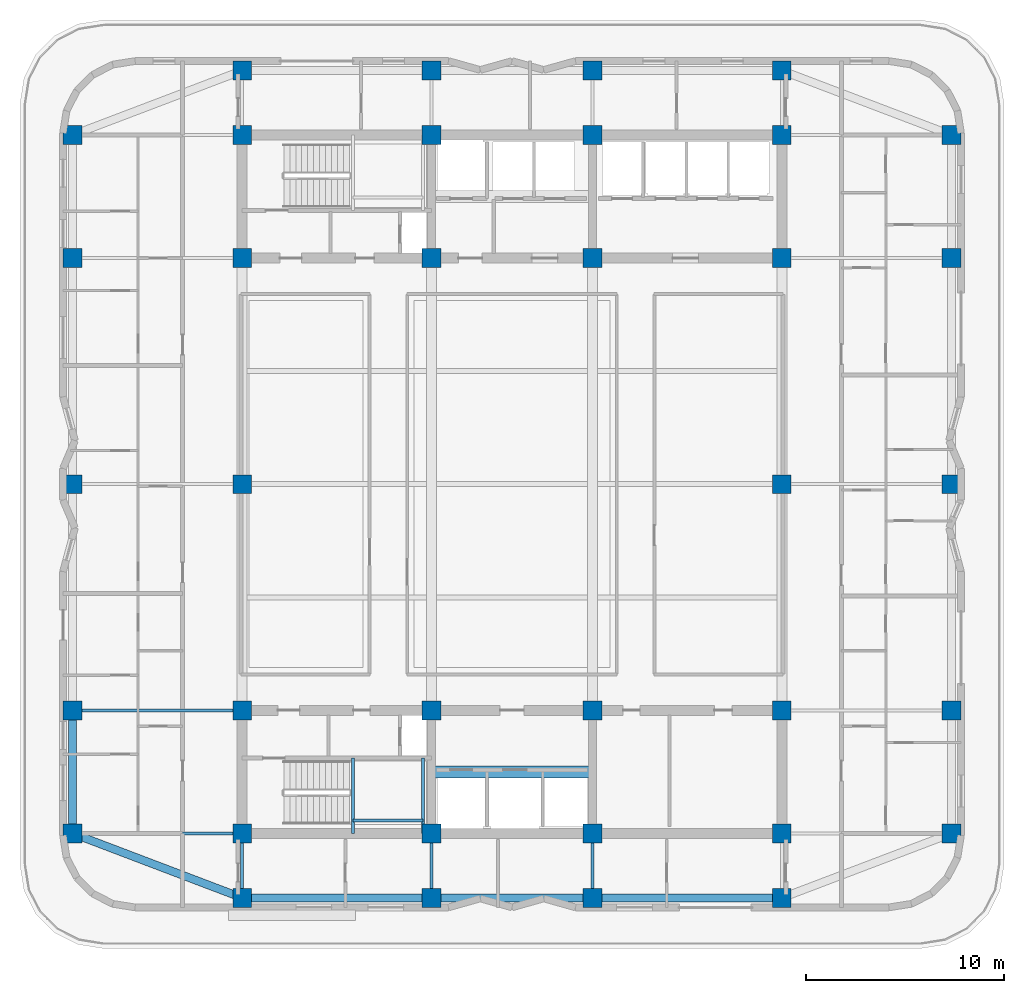
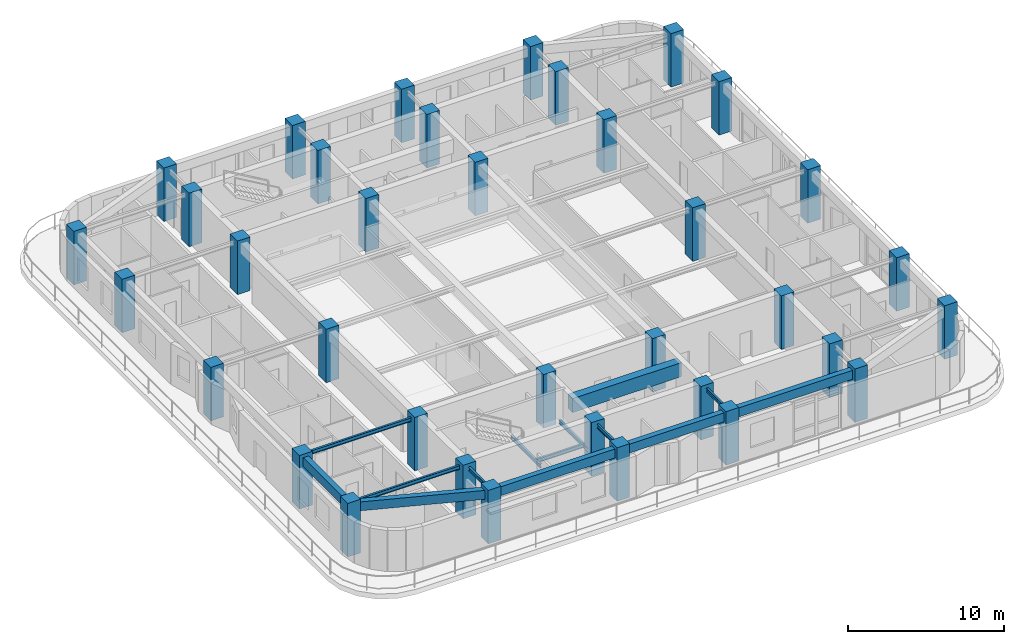
# One storey, part 1 of 14: 36 columns, 14 beams.
"""IFC4 building model written with IfcOpenShell, lengths in metres."""

from ifc_helpers import new_model, si_unit, direction, frame, origin, origin_2d, place, context, subcontext, project, spatial, rectangle, i_section, extrude, material, material_profile, profile_set, type_object, element, save


model = new_model("IFC4")

# Units and contexts
model_context = context("Model", 3, precision=1e-05, world=origin(), true_north=direction((0.0, 1.0)))
body_context = subcontext(model_context, "Body", "Model", "MODEL_VIEW")
ifc_project = project(units=[si_unit("LENGTHUNIT", "METRE"), si_unit("AREAUNIT", "SQUARE_METRE"), si_unit("VOLUMEUNIT", "CUBIC_METRE"), si_unit("PLANEANGLEUNIT", "RADIAN"), si_unit("MASSUNIT", "GRAM", prefix="KILO")], contexts=[model_context])

# Site, building, storey
site_placement = place(None, origin())
site = spatial("IfcSite", under=ifc_project, at=site_placement, CompositionType="ELEMENT")
building_placement = place(site_placement, origin())
building = spatial("IfcBuilding", under=site, at=building_placement, Name="Svetorya Sky Lyceum", CompositionType="ELEMENT")
storey_placement = place(building_placement, frame((0.0, 0.0, 143.60009765625)))
storey = spatial("IfcBuildingStorey", under=building, at=storey_placement, Name="L35", CompositionType="ELEMENT", Elevation=143.60009765625)

# Columns
ifc_material_1 = material(Name="Concrete C50/60", Category="concrete")
ifc_material_profile_1 = material_profile(ifc_material_1, rectangle(XDim=0.949951171875, YDim=0.949951171875, at=origin_2d()), Name="RC COL 950x950")
ifc_profile_set_1 = profile_set([ifc_material_profile_1], Name="Concrete C50/60")
column_type = type_object("IfcColumnType", Name="COL-RC-950", PredefinedType="COLUMN", material=ifc_profile_set_1)
for number, where, z_axis, x_axis, name in (
    (1, (25.60009765625, 10.60009765625, 0.0), (0.0, 0.0, 1.0), (1.0, 0.0, 0.0), "L35 Core Column CS-11"),
    (2, (25.60009765625, 16.800048828125, 0.0), (0.0, 0.0, 1.0), (1.0, 0.0, 0.0), "L35 Core Column CS-12"),
    (3, (35.14990234375, 10.60009765625, 0.0), (0.0, 0.0, 1.0), (1.0, 0.0, 0.0), "L35 Core Column CS-21"),
    (4, (35.14990234375, 16.800048828125, 0.0), (0.0, 0.0, 1.0), (1.0, 0.0, 0.0), "L35 Core Column CS-22"),
    (5, (43.25, 10.60009765625, 0.0), (0.0, 0.0, 1.0), (1.0, 0.0, 0.0), "L35 Core Column CS-31"),
    (6, (43.25, 16.800048828125, 0.0), (0.0, 0.0, 1.0), (1.0, 0.0, 0.0), "L35 Core Column CS-32"),
    (7, (52.800048828125, 10.60009765625, 0.0), (0.0, 0.0, 1.0), (1.0, 0.0, 0.0), "L35 Core Column CS-41"),
    (8, (52.800048828125, 16.800048828125, 0.0), (0.0, 0.0, 1.0), (1.0, 0.0, 0.0), "L35 Core Column CS-42"),
    (9, (25.60009765625, 39.60009765625, 0.0), (0.0, 0.0, 1.0), (1.0, 0.0, 0.0), "L35 Core Column CN-11"),
    (10, (25.60009765625, 45.800048828125, 0.0), (0.0, 0.0, 1.0), (1.0, 0.0, 0.0), "L35 Core Column CN-12"),
    (11, (35.14990234375, 39.60009765625, 0.0), (0.0, 0.0, 1.0), (1.0, 0.0, 0.0), "L35 Core Column CN-21"),
    (12, (35.14990234375, 45.800048828125, 0.0), (0.0, 0.0, 1.0), (1.0, 0.0, 0.0), "L35 Core Column CN-22"),
    (13, (43.25, 39.60009765625, 0.0), (0.0, 0.0, 1.0), (1.0, 0.0, 0.0), "L35 Core Column CN-31"),
    (14, (43.25, 45.800048828125, 0.0), (0.0, 0.0, 1.0), (1.0, 0.0, 0.0), "L35 Core Column CN-32"),
    (15, (52.800048828125, 39.60009765625, 0.0), (0.0, 0.0, 1.0), (1.0, 0.0, 0.0), "L35 Core Column CN-41"),
    (16, (52.800048828125, 45.800048828125, 0.0), (0.0, 0.0, 1.0), (1.0, 0.0, 0.0), "L35 Core Column CN-42"),
    (17, (25.60009765625, 28.199951171875, 0.0), (0.0, 0.0, 1.0), (1.0, 0.0, 0.0), "L35 Core Column CM-W"),
    (18, (52.800048828125, 28.199951171875, 0.0), (0.0, 0.0, 1.0), (1.0, 0.0, 0.0), "L35 Core Column CM-E"),
    (19, (25.60009765625, 7.35009765625, 0.0), (0.0, 0.0, 1.0), (1.0, 0.0, 0.0), "L35 Perimeter Column S1"),
    (20, (25.60009765625, 49.050048828125, 0.0), (0.0, 0.0, 1.0), (1.0, 0.0, 0.0), "L35 Perimeter Column N1"),
    (21, (35.14990234375, 7.35009765625, 0.0), (0.0, 0.0, 1.0), (1.0, 0.0, 0.0), "L35 Perimeter Column S2"),
    (22, (35.14990234375, 49.050048828125, 0.0), (0.0, 0.0, 1.0), (1.0, 0.0, 0.0), "L35 Perimeter Column N2"),
    (23, (43.25, 7.35009765625, 0.0), (0.0, 0.0, 1.0), (1.0, 0.0, 0.0), "L35 Perimeter Column S3"),
    (24, (43.25, 49.050048828125, 0.0), (0.0, 0.0, 1.0), (1.0, 0.0, 0.0), "L35 Perimeter Column N3"),
    (25, (52.800048828125, 7.35009765625, 0.0), (0.0, 0.0, 1.0), (1.0, 0.0, 0.0), "L35 Perimeter Column S4"),
    (26, (52.800048828125, 49.050048828125, 0.0), (0.0, 0.0, 1.0), (1.0, 0.0, 0.0), "L35 Perimeter Column N4"),
    (27, (17.050048828125, 10.60009765625, 0.0), (0.0, 0.0, 1.0), (1.0, 0.0, 0.0), "L35 Perimeter Column W1"),
    (28, (61.35009765625, 10.60009765625, 0.0), (0.0, 0.0, 1.0), (1.0, 0.0, 0.0), "L35 Perimeter Column E1"),
    (29, (17.050048828125, 16.800048828125, 0.0), (0.0, 0.0, 1.0), (1.0, 0.0, 0.0), "L35 Perimeter Column W2"),
    (30, (61.35009765625, 16.800048828125, 0.0), (0.0, 0.0, 1.0), (1.0, 0.0, 0.0), "L35 Perimeter Column E2"),
    (31, (17.050048828125, 28.199951171875, 0.0), (0.0, 0.0, 1.0), (1.0, 0.0, 0.0), "L35 Perimeter Column W3"),
    (32, (61.35009765625, 28.199951171875, 0.0), (0.0, 0.0, 1.0), (1.0, 0.0, 0.0), "L35 Perimeter Column E3"),
    (33, (17.050048828125, 39.60009765625, 0.0), (0.0, 0.0, 1.0), (1.0, 0.0, 0.0), "L35 Perimeter Column W4"),
    (34, (61.35009765625, 39.60009765625, 0.0), (0.0, 0.0, 1.0), (1.0, 0.0, 0.0), "L35 Perimeter Column E4"),
    (35, (17.050048828125, 45.800048828125, 0.0), (0.0, 0.0, 1.0), (1.0, 0.0, 0.0), "L35 Perimeter Column W5"),
    (36, (61.35009765625, 45.800048828125, 0.0), (0.0, 0.0, 1.0), (1.0, 0.0, 0.0), "L35 Perimeter Column E5"),
):
    element("IfcColumn", number, at=place(storey_placement, frame(where, z_axis=z_axis, x_axis=x_axis)), inside=storey, type_object=column_type, Name=name, PredefinedType="COLUMN", context=body_context, shape_type="SweptSolid", body=[
        extrude(rectangle(XDim=0.949951171875, YDim=0.949951171875, at=origin_2d()), origin(), (0.0, 0.0, 1.0), 4.199951171875),
    ])

# Beams
ifc_material_2 = material(Name="Concrete C60/75", Category="concrete")
ifc_material_profile_2 = material_profile(ifc_material_2, rectangle(XDim=0.60009765625, YDim=1.10009765625, at=origin_2d()), Name="RC COUPLING 600x1100")
ifc_profile_set_2 = profile_set([ifc_material_profile_2], Name="Concrete C60/75")
beam_type_1 = type_object("IfcBeamType", Name="BM-CPL-1100", PredefinedType="LINTEL", material=ifc_profile_set_2)
beam_1_placement = place(storey_placement, frame((35.14990234375, 13.699951171875, 3.389892578125), z_axis=(1.0, 0.0, 0.0), x_axis=(0.0, 1.0, 0.0)))
element("IfcBeam", 37, at=beam_1_placement, inside=storey, type_object=beam_type_1, Name="L35 SC Core Coupling Beam", PredefinedType="LINTEL", context=body_context, shape_type="SweptSolid", body=[
    extrude(rectangle(XDim=0.60009765625, YDim=1.10009765625, at=origin_2d()), origin(), (0.0, 0.0, 1.0), 8.10009765625),
])
ifc_material_profile_3 = material_profile(ifc_material_1, rectangle(XDim=0.39990234375, YDim=0.699951171875, at=origin_2d()), Name="RC SPANDREL 400x700")
ifc_profile_set_3 = profile_set([ifc_material_profile_3], Name="Concrete C50/60")
beam_type_2 = type_object("IfcBeamType", Name="BM-SPN-700", PredefinedType="SPANDREL", material=ifc_profile_set_3)
beam_2_placement = place(storey_placement, frame((25.60009765625, 7.35009765625, 3.58984375), z_axis=(1.0, 0.0, 0.0), x_axis=(0.0, 1.0, 0.0)))
element("IfcBeam", 38, at=beam_2_placement, inside=storey, type_object=beam_type_2, Name="L35 South Spandrel 1", PredefinedType="SPANDREL", context=body_context, shape_type="SweptSolid", body=[
    extrude(rectangle(XDim=0.39990234375, YDim=0.699951171875, at=origin_2d()), origin(), (0.0, 0.0, 1.0), 9.5498046875),
])
beam_3_placement = place(storey_placement, frame((35.14990234375, 7.35009765625, 3.58984375), z_axis=(1.0, 0.0, 0.0), x_axis=(0.0, 1.0, 0.0)))
element("IfcBeam", 39, at=beam_3_placement, inside=storey, type_object=beam_type_2, Name="L35 South Spandrel 2", PredefinedType="SPANDREL", context=body_context, shape_type="SweptSolid", body=[
    extrude(rectangle(XDim=0.39990234375, YDim=0.699951171875, at=origin_2d()), origin(), (0.0, 0.0, 1.0), 8.10009765625),
])
beam_4_placement = place(storey_placement, frame((43.25, 7.35009765625, 3.58984375), z_axis=(1.0, 0.0, 0.0), x_axis=(0.0, 1.0, 0.0)))
element("IfcBeam", 40, at=beam_4_placement, inside=storey, type_object=beam_type_2, Name="L35 South Spandrel 3", PredefinedType="SPANDREL", context=body_context, shape_type="SweptSolid", body=[
    extrude(rectangle(XDim=0.39990234375, YDim=0.699951171875, at=origin_2d()), origin(), (0.0, 0.0, 1.0), 9.550048828125),
])
beam_5_placement = place(storey_placement, frame((25.60009765625, 7.35009765625, 3.58984375), z_axis=(-0.934747947367, 0.355311518099, 0.0), x_axis=(-0.355311518099, -0.934747947367, 0.0)))
element("IfcBeam", 41, at=beam_5_placement, inside=storey, type_object=beam_type_2, Name="L35 Corner Spandrel 1", PredefinedType="SPANDREL", context=body_context, shape_type="SweptSolid", body=[
    extrude(rectangle(XDim=0.39990234375, YDim=0.699951171875, at=origin_2d()), origin(), (0.0, 0.0, 1.0), 9.14697265625),
])
beam_6_placement = place(storey_placement, frame((17.050048828125, 10.60009765625, 3.58984375), z_axis=(0.0, 1.0, 0.0), x_axis=(-1.0, 0.0, 0.0)))
element("IfcBeam", 42, at=beam_6_placement, inside=storey, type_object=beam_type_2, Name="L35 West Spandrel 1", PredefinedType="SPANDREL", context=body_context, shape_type="SweptSolid", body=[
    extrude(rectangle(XDim=0.39990234375, YDim=0.699951171875, at=origin_2d()), origin(), (0.0, 0.0, 1.0), 6.199951171875),
])
ifc_material_3 = material(Name="Steel S355", Category="steel")
ifc_material_profile_4 = material_profile(ifc_material_3, i_section(OverallWidth=0.14990234375, OverallDepth=0.299072265625, WebThickness=0.006591796875, FlangeThickness=0.010498046875, at=origin_2d()), Name="GOST 30B2")
ifc_profile_set_4 = profile_set([ifc_material_profile_4], Name="Steel S355")
beam_type_3 = type_object("IfcBeamType", Name="BM-STL-30B2", PredefinedType="JOIST", material=ifc_profile_set_4)
for number, where, z_axis, x_axis, name in (
    (43, (17.050048828125, 10.60009765625, 3.790283203125), (1.0, 0.0, 0.0), (0.0, 1.0, 0.0), "L35 West Wing Floor Joist W1"),
    (44, (17.050048828125, 16.800048828125, 3.790283203125), (1.0, 0.0, 0.0), (0.0, 1.0, 0.0), "L35 West Wing Floor Joist W2"),
):
    element("IfcBeam", number, at=place(storey_placement, frame(where, z_axis=z_axis, x_axis=x_axis)), inside=storey, type_object=beam_type_3, Name=name, PredefinedType="JOIST", context=body_context, shape_type="SweptSolid", body=[
        extrude(i_section(OverallWidth=0.14990234375, OverallDepth=0.299072265625, WebThickness=0.006591796875, FlangeThickness=0.010498046875, at=origin_2d()), origin(), (0.0, 0.0, 1.0), 8.550048828125),
    ])
for number, where, z_axis, x_axis, name in (
    (45, (25.60009765625, 7.35009765625, 3.790283203125), (0.0, 1.0, 0.0), (-1.0, 0.0, 0.0), "L35 South Bay Floor Girder S1"),
    (46, (35.14990234375, 7.35009765625, 3.790283203125), (0.0, 1.0, 0.0), (-1.0, 0.0, 0.0), "L35 South Bay Floor Girder S2"),
    (47, (43.25, 7.35009765625, 3.790283203125), (0.0, 1.0, 0.0), (-1.0, 0.0, 0.0), "L35 South Bay Floor Girder S3"),
):
    element("IfcBeam", number, at=place(storey_placement, frame(where, z_axis=z_axis, x_axis=x_axis)), inside=storey, type_object=beam_type_3, Name=name, PredefinedType="JOIST", context=body_context, shape_type="SweptSolid", body=[
        extrude(i_section(OverallWidth=0.14990234375, OverallDepth=0.299072265625, WebThickness=0.006591796875, FlangeThickness=0.010498046875, at=origin_2d()), origin(), (0.0, 0.0, 1.0), 3.25),
    ])
for number, where, z_axis, x_axis, name in (
    (48, (31.179931640625, 10.60009765625, 1.75048828125), (0.0, 1.0, 0.0), (-1.0, 0.0, 0.0), "L35 Stair ST-S Half-Landing Support Beam 41.1"),
    (49, (34.719970703125, 10.60009765625, 1.75048828125), (0.0, 1.0, 0.0), (-1.0, 0.0, 0.0), "L35 Stair ST-S Half-Landing Support Beam 41.2"),
):
    element("IfcBeam", number, at=place(storey_placement, frame(where, z_axis=z_axis, x_axis=x_axis)), inside=storey, type_object=beam_type_3, Name=name, PredefinedType="JOIST", context=body_context, shape_type="SweptSolid", body=[
        extrude(i_section(OverallWidth=0.14990234375, OverallDepth=0.299072265625, WebThickness=0.006591796875, FlangeThickness=0.010498046875, at=origin_2d()), origin(), (0.0, 0.0, 1.0), 3.7998046875),
    ])
beam_7_placement = place(storey_placement, frame((31.179931640625, 11.25, 1.75048828125), z_axis=(1.0, 0.0, 0.0), x_axis=(0.0, 1.0, 0.0)))
element("IfcBeam", 50, at=beam_7_placement, inside=storey, type_object=beam_type_3, Name="L35 Stair ST-S Half-Landing Cross Tie 41", PredefinedType="JOIST", context=body_context, shape_type="SweptSolid", body=[
    extrude(i_section(OverallWidth=0.14990234375, OverallDepth=0.299072265625, WebThickness=0.006591796875, FlangeThickness=0.010498046875, at=origin_2d()), origin(), (0.0, 0.0, 1.0), 3.5400390625),
])

save(model, "model.ifc")
